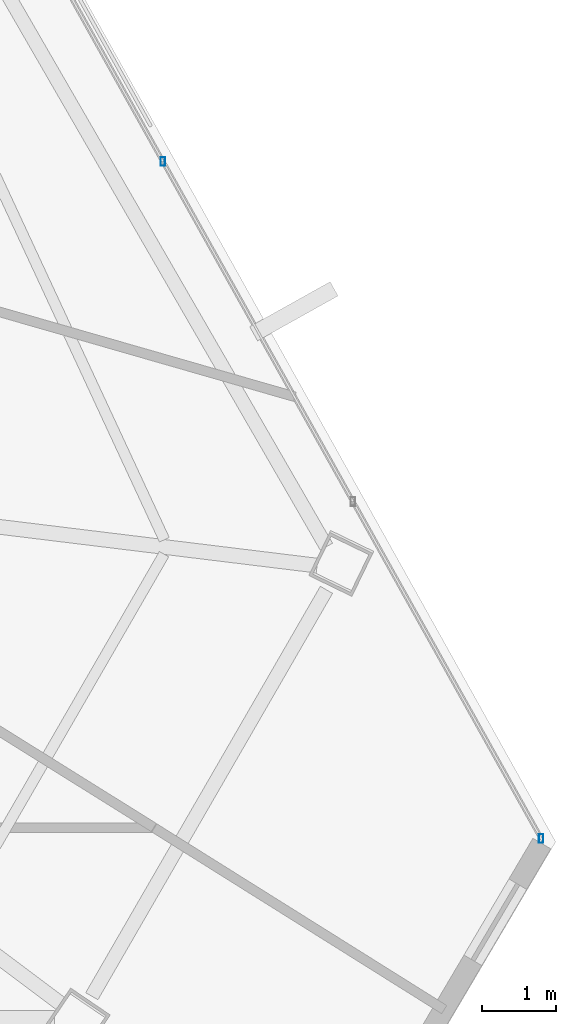
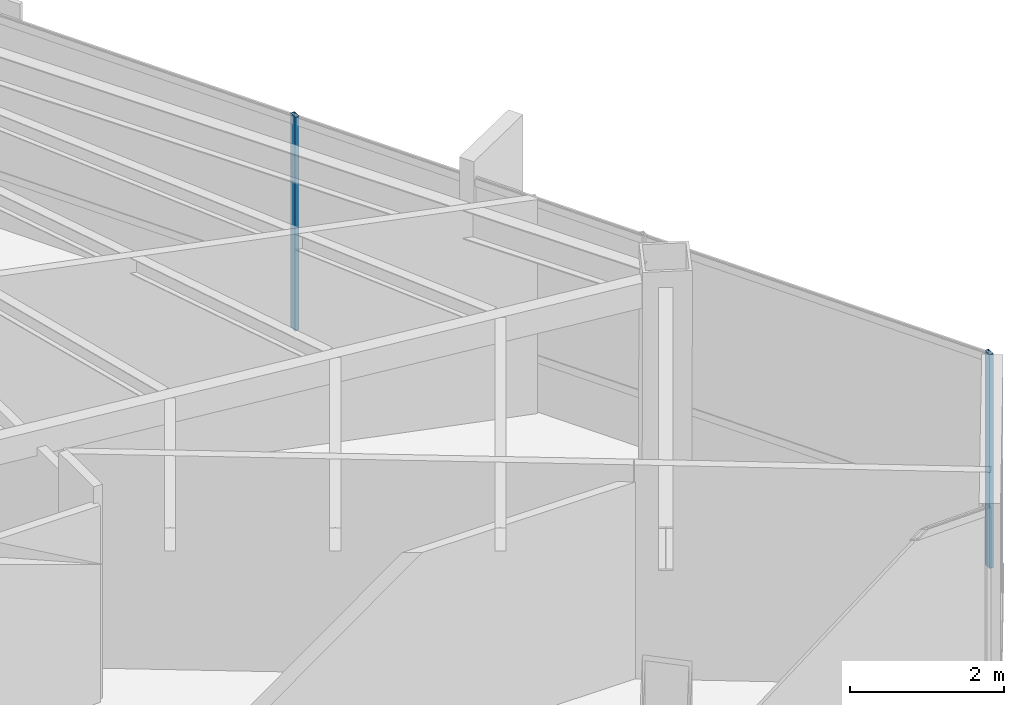
# One storey, part 25 of 45: 2 members, 1 element without a shape of its own.
"""IFC4 building model written with IfcOpenShell, lengths in metres."""

import ifcopenshell
import ifcopenshell.guid

model = None  # the IFC model being written
_history = None  # IfcOwnerHistory: only IFC2X3 demands one
_inside = {}  # id of a spatial element -> (the spatial element, [elements in it])
_under = {}  # id of a project, library or spatial element -> (it, [spatial elements below it])
_declared = {}  # id of a project -> (the project, [libraries it declares])
_typed = {}  # id of a type object -> (the type object, [elements of that type])
_made_of = {}  # id of a material, layer set ... -> (it, [elements and type objects made of it])


def new_model(schema):
    """Start an empty IFC model of exactly this schema.

    Asked for "IFC4X3", IfcOpenShell would pick the latest addendum, in which some entities
    have other attributes; the version numbers below select the first issue.
    IFC2X3 requires an IfcOwnerHistory on every rooted entity: one is made here for all.
    """
    global model, _history
    if schema == "IFC4X3":
        model = ifcopenshell.file(schema_version=(4, 3, 0, 0))
    else:
        model = ifcopenshell.file(schema=schema)
    _inside.clear()
    _under.clear()
    _declared.clear()
    _typed.clear()
    _made_of.clear()
    _history = None
    if model.schema == "IFC2X3":
        org = make("IfcOrganization", Name="unknown")
        user = make(
            "IfcPersonAndOrganization",
            ThePerson=make("IfcPerson", FamilyName="unknown"),
            TheOrganization=org,
        )
        app = make(
            "IfcApplication",
            ApplicationDeveloper=org,
            Version="unknown",
            ApplicationFullName="unknown",
            ApplicationIdentifier="unknown",
        )
        _history = make(
            "IfcOwnerHistory",
            OwningUser=user,
            OwningApplication=app,
            ChangeAction="ADDED",
            CreationDate=0,
        )
    return model


def make(cls, **values):
    """One entity of the class cls with the attributes given. An attribute that is None is left unset."""
    return model.create_entity(
        cls, **{name: value for name, value in values.items() if value is not None}
    )


def rooted(cls, **values):
    """An entity with a GlobalId (a new one), such as an element, a storey or a relation."""
    return make(cls, GlobalId=ifcopenshell.guid.new(), OwnerHistory=_history, **values)


def si_unit(unit_type, name, prefix=None):
    """IfcSIUnit, for example si_unit("LENGTHUNIT", "METRE", prefix="MILLI")."""
    return make("IfcSIUnit", UnitType=unit_type, Prefix=prefix, Name=name)


def assignment(units):
    """IfcUnitAssignment: the units of a project."""
    return None if units is None else make("IfcUnitAssignment", Units=units)


def point(xyz):
    """IfcCartesianPoint."""
    return None if xyz is None else make("IfcCartesianPoint", Coordinates=xyz)


def direction(xyz):
    """IfcDirection."""
    return None if xyz is None else make("IfcDirection", DirectionRatios=xyz)


def frame(location, z_axis=None, x_axis=None):
    """IfcAxis2Placement3D, a coordinate frame: its origin and axes. An axis left out is left unset."""
    return make(
        "IfcAxis2Placement3D",
        Location=point(location),
        Axis=direction(z_axis),
        RefDirection=direction(x_axis),
    )


def frame_2d(location, x_axis=None):
    """IfcAxis2Placement2D, a coordinate frame in the plane: its origin and x axis."""
    return make(
        "IfcAxis2Placement2D", Location=point(location), RefDirection=direction(x_axis)
    )


def origin():
    """The frame at (0, 0, 0) with its axes left unset."""
    return frame((0.0, 0.0, 0.0))


def origin_2d():
    """The frame at (0, 0) in the plane with its x axis left unset."""
    return frame_2d((0.0, 0.0))


def place(relative_to, where):
    """IfcLocalPlacement: puts the frame where relative to a parent placement (None: the world)."""
    return make(
        "IfcLocalPlacement", PlacementRelTo=relative_to, RelativePlacement=where
    )


def context(
    kind, dimensions, precision=None, world=None, true_north=None, identifier=None
):
    """IfcGeometricRepresentationContext, for example the 3D "Model" context."""
    return make(
        "IfcGeometricRepresentationContext",
        ContextIdentifier=identifier,
        ContextType=kind,
        CoordinateSpaceDimension=dimensions,
        Precision=precision,
        WorldCoordinateSystem=world,
        TrueNorth=true_north,
    )


def subcontext(parent, identifier, kind, view, scale=None):
    """IfcGeometricRepresentationSubContext, for example "Body" below "Model"."""
    return make(
        "IfcGeometricRepresentationSubContext",
        ContextIdentifier=identifier,
        ContextType=kind,
        ParentContext=parent,
        TargetScale=scale,
        TargetView=view,
    )


def project(units=None, contexts=None):
    """IfcProject with its units and contexts."""
    return rooted(
        "IfcProject",
        Name="project",
        RepresentationContexts=contexts,
        UnitsInContext=assignment(units),
    )


def spatial(cls, under=None, at=None, **own):
    """A site, building, storey or space (cls), placed at a placement, below another one or the project."""
    s = rooted(cls, ObjectPlacement=at, **own)
    if under is not None:
        _under.setdefault(under.id(), (under, []))[1].append(s)
    return s


def profile(cls, at=None, kind="AREA", **sizes):
    """A parametric profile (cls). Its sizes go by their IFC names, for example OverallWidth=200.0."""
    return make(cls, ProfileType=kind, Position=at, **sizes)


def hollow_rectangle(**sizes):
    """IfcRectangleHollowProfileDef."""
    return profile("IfcRectangleHollowProfileDef", **sizes)


def extrude(swept, where, along, depth):
    """IfcExtrudedAreaSolid: the profile swept, set in the frame where, extruded along a direction by depth."""
    return make(
        "IfcExtrudedAreaSolid",
        SweptArea=swept,
        Position=where,
        ExtrudedDirection=direction(along),
        Depth=depth,
    )


def shape(context_of_items, identifier, shape_type, items):
    """IfcShapeRepresentation: the items that make up one representation, for example the "Body"."""
    return make(
        "IfcShapeRepresentation",
        ContextOfItems=context_of_items,
        RepresentationIdentifier=identifier,
        RepresentationType=shape_type,
        Items=items,
    )


def source(mapping_origin, context_of_items, identifier, shape_type, items):
    """IfcRepresentationMap: a shape defined once, which mapped items show again and again."""
    return make(
        "IfcRepresentationMap",
        MappingOrigin=mapping_origin,
        MappedRepresentation=shape(context_of_items, identifier, shape_type, items),
    )


def transform(
    local_origin,
    x_axis=None,
    y_axis=None,
    z_axis=None,
    scale=None,
    scale2=None,
    scale3=None,
    uniform=True,
):
    """IfcCartesianTransformationOperator3D, or its non-uniform kind. x_axis, y_axis, z_axis: its Axis1, 2, 3."""
    if uniform:
        return make(
            "IfcCartesianTransformationOperator3D",
            Axis1=direction(x_axis),
            Axis2=direction(y_axis),
            LocalOrigin=point(local_origin),
            Scale=scale,
            Axis3=direction(z_axis),
        )
    return make(
        "IfcCartesianTransformationOperator3DnonUniform",
        Axis1=direction(x_axis),
        Axis2=direction(y_axis),
        LocalOrigin=point(local_origin),
        Scale=scale,
        Axis3=direction(z_axis),
        Scale2=scale2,
        Scale3=scale3,
    )


def mapped(mapping_source, mapping_target):
    """IfcMappedItem: shows the shape of a source again, moved by a transform."""
    return make(
        "IfcMappedItem", MappingSource=mapping_source, MappingTarget=mapping_target
    )


def material(Name=None, Category=None):
    """IfcMaterial."""
    return make("IfcMaterial", Name=Name, Category=Category)


def material_profile(
    of_material, cross_section, Name=None, Category=None, Priority=None
):
    """IfcMaterialProfile: a cross section and its material."""
    return make(
        "IfcMaterialProfile",
        Name=Name,
        Material=of_material,
        Profile=cross_section,
        Priority=Priority,
        Category=Category,
    )


def profile_set(profiles, Name=None, composite=None):
    """IfcMaterialProfileSet."""
    return make(
        "IfcMaterialProfileSet",
        Name=Name,
        MaterialProfiles=profiles,
        CompositeProfile=composite,
    )


def made_of(thing, what):
    """Note that an element or type object is made of a material, layer set ...; save() writes the relation."""
    if what is not None:
        _made_of.setdefault(what.id(), (what, []))[1].append(thing)
    return thing


def type_object(cls, material=None, **own):
    """A type object (cls), such as IfcWallType, which elements share."""
    return made_of(rooted(cls, **own), material)


def type_shapes(of_type, sources):
    """Give a type object the sources (RepresentationMaps) that its elements show as mapped items."""
    of_type.RepresentationMaps = sources


def element(
    cls,
    number,
    at=None,
    inside=None,
    cuts=None,
    type_object=None,
    material=None,
    context=None,
    identifier="Body",
    shape_type=None,
    held_by="IfcProductDefinitionShape",
    body=None,
    shapes=None,
    **own,
):
    """One element of the class cls, such as IfcWall. Its Tag is "e" and its number.

    at: its placement. inside: the storey or other place that contains it. cuts: it is an
    opening in that element (IfcRelVoidsElement). A single representation is given by context,
    identifier, shape_type and body (its items); several are given by shapes. held_by: the class
    of the entity that holds the representations. save() writes the other relations.
    """
    e = rooted(cls, Tag="e%d" % number, ObjectPlacement=at, **own)
    if body is not None:
        shapes = [shape(context, identifier, shape_type, body)]
    if shapes is not None:
        e.Representation = make(held_by, Representations=shapes)
    if inside is not None:
        _inside.setdefault(inside.id(), (inside, []))[1].append(e)
    if cuts is not None:
        rooted(
            "IfcRelVoidsElement", RelatingBuildingElement=cuts, RelatedOpeningElement=e
        )
    if type_object is not None:
        _typed.setdefault(type_object.id(), (type_object, []))[1].append(e)
    return made_of(e, material)


def aggregate(whole, parts):
    """IfcRelAggregates: a whole, such as a stair, and the parts it consists of."""
    return rooted("IfcRelAggregates", RelatingObject=whole, RelatedObjects=parts)


def save(model, path):
    """Write the relations noted so far, then the file.

    IfcRelAggregates (storeys below a building ...), IfcRelContainedInSpatialStructure (elements
    in a storey), IfcRelDefinesByType, IfcRelAssociatesMaterial and IfcRelDeclares: one each for
    every whole, place, type object, material and project.
    """
    for whole, parts in _under.values():
        aggregate(whole, parts)
    for where, things in _inside.values():
        rooted(
            "IfcRelContainedInSpatialStructure",
            RelatedElements=things,
            RelatingStructure=where,
        )
    for kind, things in _typed.values():
        rooted("IfcRelDefinesByType", RelatedObjects=things, RelatingType=kind)
    for what, things in _made_of.values():
        rooted("IfcRelAssociatesMaterial", RelatedObjects=things, RelatingMaterial=what)
    for by, libraries in _declared.values():
        rooted("IfcRelDeclares", RelatingContext=by, RelatedDefinitions=libraries)
    model.write(path)


model = new_model("IFC4")

# Units and contexts
model_context = context("Model", 3, precision=1e-05, world=origin(), true_north=direction((0.0, 1.0)))
body_context = subcontext(model_context, "Body", "Model", "MODEL_VIEW")
ifc_project = project(units=[si_unit("LENGTHUNIT", "METRE"), si_unit("AREAUNIT", "SQUARE_METRE"), si_unit("VOLUMEUNIT", "CUBIC_METRE"), si_unit("PLANEANGLEUNIT", "RADIAN"), si_unit("MASSUNIT", "GRAM", prefix="KILO")], contexts=[model_context])

# Site, building, storey
site_placement = place(None, origin())
site = spatial("IfcSite", under=ifc_project, at=site_placement, CompositionType="ELEMENT")
building_placement = place(site_placement, origin())
building = spatial("IfcBuilding", under=site, at=building_placement, Name="Caelisora Broadcast Tower", CompositionType="ELEMENT")
storey_placement = place(building_placement, frame((0.0, 0.0, 266.35009765625)))
storey = spatial("IfcBuildingStorey", under=building, at=storey_placement, Name="L70", CompositionType="ELEMENT", Elevation=266.35009765625)

# Curtain wall, members
ifc_material_1 = material(Name="Unitised Aluminium and Low-E Glass Curtain Wall", Category="glass")
curtain_wall_type = type_object("IfcCurtainWallType", Name="CW-Z5", PredefinedType="NOTDEFINED", material=ifc_material_1)
curtain_wall_placement = place(storey_placement, origin())
curtain_wall = element("IfcCurtainWall", 1, at=curtain_wall_placement, inside=storey, type_object=curtain_wall_type, Name="L70 curtain wall CW-Z5", PredefinedType="NOTDEFINED")
ifc_material_2 = material(Name="Aluminium 6063-T6 Anodised Terracotta Bronze", Category="aluminium")
ifc_material_profile = material_profile(ifc_material_2, hollow_rectangle(XDim=0.06005859375, YDim=0.1201171875, WallThickness=0.0029296875, at=origin_2d()), Name="Aluminium 6063-T6 Anodised Terracotta Bronze")
ifc_profile_set = profile_set([ifc_material_profile], Name="Aluminium 6063-T6 Anodised Terracotta Bronze")
member_type = type_object("IfcMemberType", Name="CWM-04", PredefinedType="MULLION", material=ifc_profile_set)
shared_shape = source(origin(), body_context, "Body", "SweptSolid", [
    extrude(hollow_rectangle(XDim=0.06005859375, YDim=0.1201171875, WallThickness=0.0029296875, at=origin_2d()), origin(), (0.0, 0.0, 1.0), 3.39990234375),
])
type_shapes(member_type, [shared_shape])
member_1_placement = place(storey_placement, frame((57.030517578125, 21.21875, 0.0), z_axis=(0.0, 0.0, 1.0), x_axis=(1.0, 0.0, 0.0)))
member_1 = element("IfcMember", 2, at=member_1_placement, type_object=member_type, Name="L70-CW-B03 mullion #1", PredefinedType="MULLION", context=body_context, shape_type="MappedRepresentation", body=[
    mapped(shared_shape, transform((0.0, 0.0, 0.0), scale=1.0)),
])
member_2_placement = place(storey_placement, frame((62.16259765625, 12.03466796875, 0.0), z_axis=(0.0, 0.0, 1.0), x_axis=(1.0, 0.0, 0.0)))
member_2 = element("IfcMember", 3, at=member_2_placement, type_object=member_type, Name="L70-CW-B03 mullion #3", PredefinedType="MULLION", context=body_context, shape_type="MappedRepresentation", body=[
    mapped(shared_shape, transform((0.0, 0.0, 0.0), scale=1.0)),
])
aggregate(curtain_wall, [member_1, member_2])

save(model, "model.ifc")
